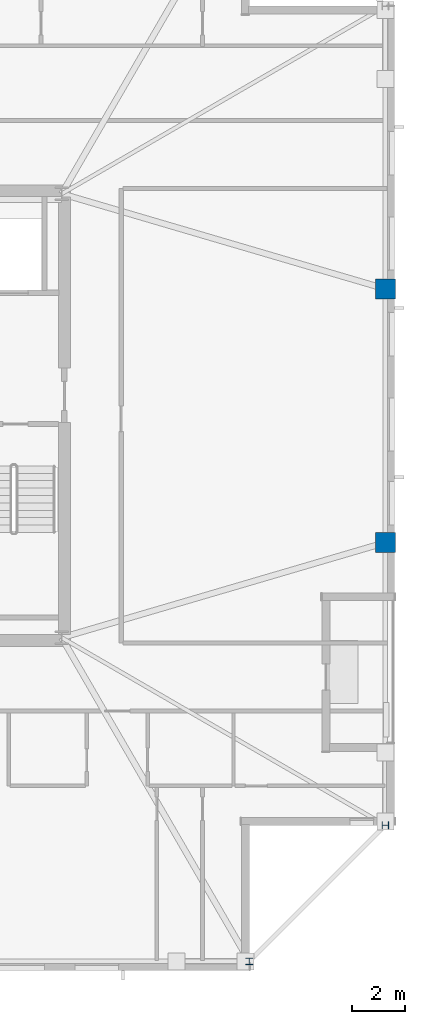
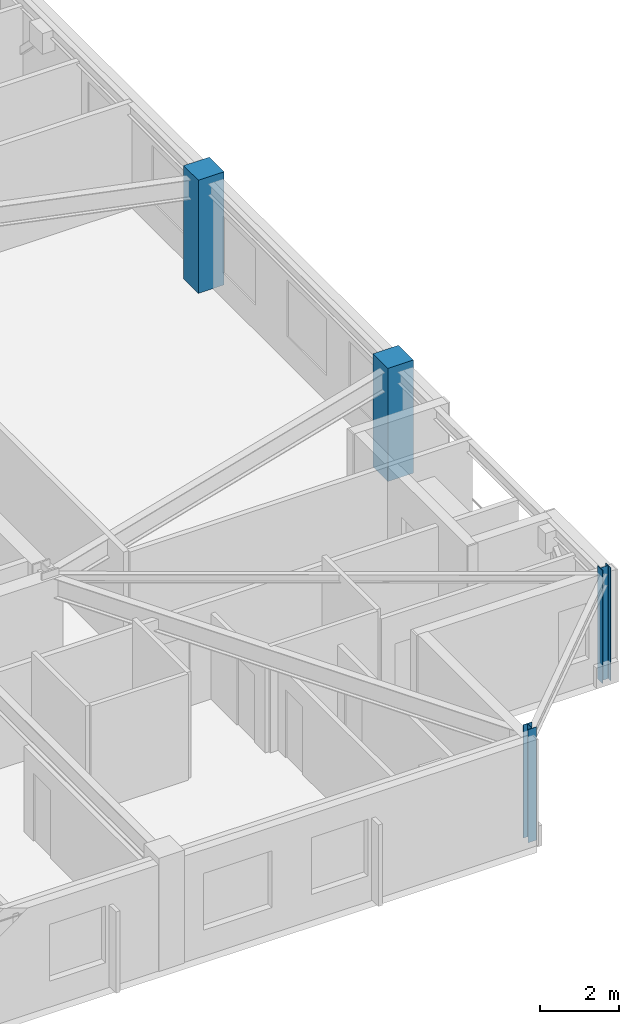
# One storey, part 3 of 15: 4 columns.
"""IFC4 building model written with IfcOpenShell, lengths in metres."""

from ifc_helpers import new_model, si_unit, direction, frame, origin, origin_2d, place, context, subcontext, project, spatial, rectangle, i_section, extrude, material, material_profile, profile_set, type_object, element, save


model = new_model("IFC4")

# Units and contexts
model_context = context("Model", 3, precision=1e-05, world=origin(), true_north=direction((0.0, 1.0)))
body_context = subcontext(model_context, "Body", "Model", "MODEL_VIEW")
ifc_project = project(units=[si_unit("LENGTHUNIT", "METRE"), si_unit("AREAUNIT", "SQUARE_METRE"), si_unit("VOLUMEUNIT", "CUBIC_METRE"), si_unit("PLANEANGLEUNIT", "RADIAN"), si_unit("MASSUNIT", "GRAM", prefix="KILO")], contexts=[model_context])

# Site, building, storey
site_placement = place(None, origin())
site = spatial("IfcSite", under=ifc_project, at=site_placement, CompositionType="ELEMENT")
building_placement = place(site_placement, origin())
building = spatial("IfcBuilding", under=site, at=building_placement, Name="Cairnveth Concourse Tower", CompositionType="ELEMENT")
storey_placement = place(building_placement, frame((0.0, 0.0, 291.0)))
storey = spatial("IfcBuildingStorey", under=building, at=storey_placement, Name="L80", CompositionType="ELEMENT", Elevation=291.0)

# Columns
ifc_material_1 = material(Name="Concrete N50 (50 MPa)", Category="concrete")
ifc_material_profile_1 = material_profile(ifc_material_1, rectangle(XDim=0.75, YDim=0.75, at=origin_2d()), Name="RC-COL-750x750")
ifc_profile_set_1 = profile_set([ifc_material_profile_1], Name="Concrete N50 (50 MPa)")
column_type_1 = type_object("IfcColumnType", Name="PERIMETER PIER COLUMN 750X750", PredefinedType="COLUMN", material=ifc_profile_set_1)
for number, where, z_axis, x_axis, name in (
    (1, (72.64990234375, 34.199951171875, 0.0), (0.0, 0.0, 1.0), (0.0, 1.0, 0.0), "Column P-E2 L80"),
    (2, (72.64990234375, 43.800048828125, 0.0), (0.0, 0.0, 1.0), (0.0, 1.0, 0.0), "Column P-E3 L80"),
):
    element("IfcColumn", number, at=place(storey_placement, frame(where, z_axis=z_axis, x_axis=x_axis)), inside=storey, type_object=column_type_1, Name=name, PredefinedType="COLUMN", context=body_context, shape_type="SweptSolid", body=[
        extrude(rectangle(XDim=0.75, YDim=0.75, at=origin_2d()), origin(), (0.0, 0.0, 1.0), 3.5),
    ])
ifc_material_2 = material(Name="Steel Grade 350", Category="steel")
ifc_material_profile_2 = material_profile(ifc_material_2, i_section(OverallWidth=0.25390625, OverallDepth=0.25390625, WebThickness=0.008544921875, FlangeThickness=0.01416015625, FilletRadius=0.012939453125, at=origin_2d()), Name="250UC72.9")
ifc_profile_set_2 = profile_set([ifc_material_profile_2], Name="Steel Grade 350")
column_type_2 = type_object("IfcColumnType", Name="UNIVERSAL STEEL COLUMN 250UC72.9", PredefinedType="COLUMN", material=ifc_profile_set_2)
for number, where, z_axis, x_axis, name in (
    (3, (67.5, 18.35009765625, 0.0), (0.0, 0.0, 1.0), (1.0, 0.0, 0.0), "Column P-S4 L80"),
    (4, (72.64990234375, 23.5, 0.0), (0.0, 0.0, 1.0), (0.0, 1.0, 0.0), "Column P-E1 L80"),
):
    element("IfcColumn", number, at=place(storey_placement, frame(where, z_axis=z_axis, x_axis=x_axis)), inside=storey, type_object=column_type_2, Name=name, PredefinedType="COLUMN", context=body_context, shape_type="SweptSolid", body=[
        extrude(i_section(OverallWidth=0.25390625, OverallDepth=0.25390625, WebThickness=0.008544921875, FlangeThickness=0.01416015625, FilletRadius=0.012939453125, at=origin_2d()), origin(), (0.0, 0.0, 1.0), 3.5),
    ])

save(model, "model.ifc")
